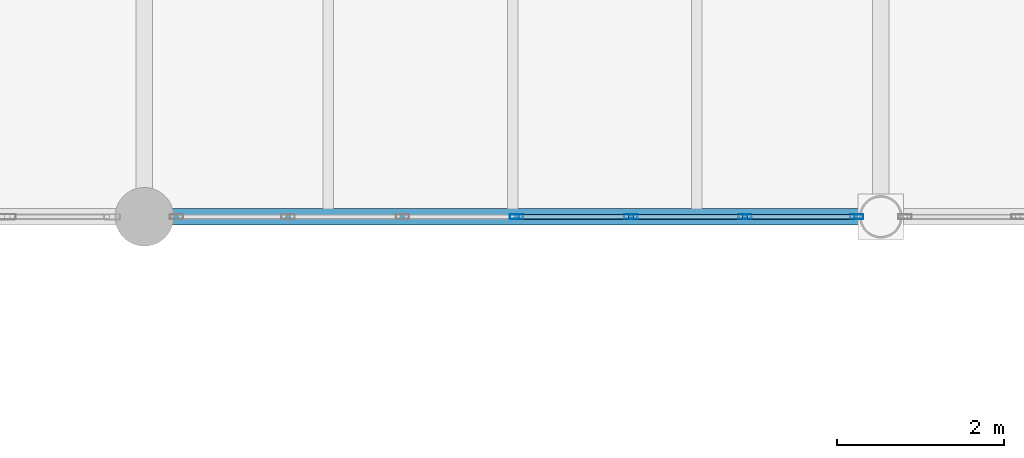
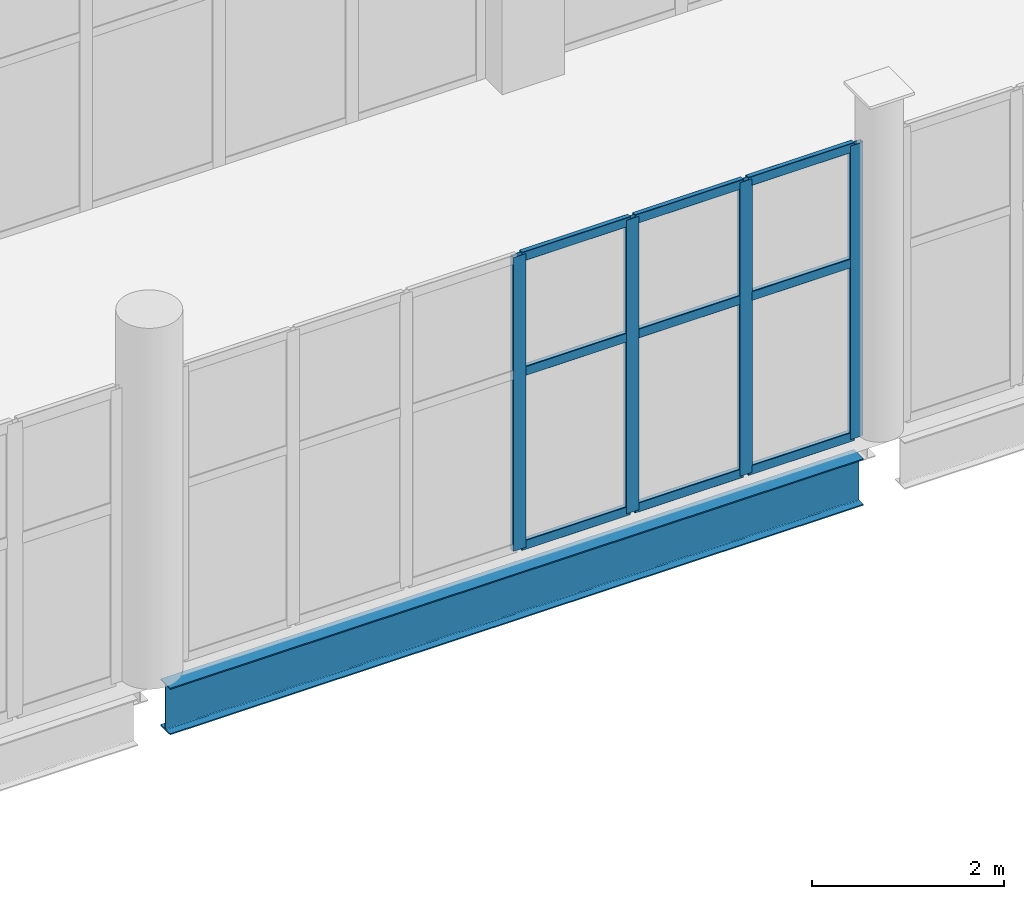
# One storey, part 54 of 136: 13 members, 1 beam, 1 element without a shape of its own.
"""IFC4 building model written with IfcOpenShell, lengths in metres."""

from ifc_helpers import new_model, si_unit, direction, frame, origin, origin_2d, place, context, subcontext, project, spatial, hollow_rectangle, i_section, extrude, material, material_profile, profile_set, type_object, element, aggregate, save


model = new_model("IFC4")

# Units and contexts
model_context = context("Model", 3, precision=1e-05, world=origin(), true_north=direction((0.0, 1.0)))
body_context = subcontext(model_context, "Body", "Model", "MODEL_VIEW")
ifc_project = project(units=[si_unit("LENGTHUNIT", "METRE"), si_unit("AREAUNIT", "SQUARE_METRE"), si_unit("VOLUMEUNIT", "CUBIC_METRE"), si_unit("PLANEANGLEUNIT", "RADIAN"), si_unit("MASSUNIT", "GRAM", prefix="KILO")], contexts=[model_context])

# Site, building, storey
site_placement = place(None, origin())
site = spatial("IfcSite", under=ifc_project, at=site_placement, CompositionType="ELEMENT")
building_placement = place(site_placement, origin())
building = spatial("IfcBuilding", under=site, at=building_placement, Name="Shengluoqiao Park Theatre", CompositionType="ELEMENT")
storey_placement = place(building_placement, frame((0.0, 0.0, 10.0)))
storey = spatial("IfcBuildingStorey", under=building, at=storey_placement, Name="L02", CompositionType="ELEMENT", Elevation=10.0)

# Curtain wall, members
ifc_material_1 = material(Name="Aluminium 6063-T6", Category="aluminium")
curtain_wall_type = type_object("IfcCurtainWallType", Name="ENV-CW-BRIDGE", PredefinedType="NOTDEFINED", material=ifc_material_1)
curtain_wall_placement = place(storey_placement, origin())
curtain_wall = element("IfcCurtainWall", 1, at=curtain_wall_placement, inside=storey, type_object=curtain_wall_type, Name="L02 Curtain Wall CWX-L02-0107", PredefinedType="NOTDEFINED")
ifc_material_profile_1 = material_profile(ifc_material_1, hollow_rectangle(XDim=0.06005859375, YDim=0.159912109375, WallThickness=0.00390625, InnerFilletRadius=0.00390625, OuterFilletRadius=0.008056640625, at=origin_2d()), Name="ALU MULLION 160x60x4")
ifc_profile_set_1 = profile_set([ifc_material_profile_1], Name="Aluminium 6063-T6")
member_type_1 = type_object("IfcMemberType", Name="ENV-MUL-160", PredefinedType="MULLION", material=ifc_profile_set_1)
member_1_placement = place(storey_placement, frame((90.847900390625, 68.39990234375, 0.0), z_axis=(0.0, 0.0, 1.0), x_axis=(0.0, 1.0, 0.0)))
member_1 = element("IfcMember", 2, at=member_1_placement, type_object=member_type_1, Name="CW-03 mullion 4", PredefinedType="MULLION", context=body_context, shape_type="SweptSolid", body=[
    extrude(hollow_rectangle(XDim=0.06005859375, YDim=0.159912109375, WallThickness=0.00390625, InnerFilletRadius=0.00390625, OuterFilletRadius=0.008056640625, at=origin_2d()), origin(), (0.0, 0.0, 1.0), 3.741943359375),
])
member_2_placement = place(storey_placement, frame((92.212646484375, 68.39990234375, 0.0), z_axis=(0.0, 0.0, 1.0), x_axis=(0.0, 1.0, 0.0)))
member_2 = element("IfcMember", 3, at=member_2_placement, type_object=member_type_1, Name="CW-03 mullion 5", PredefinedType="MULLION", context=body_context, shape_type="SweptSolid", body=[
    extrude(hollow_rectangle(XDim=0.06005859375, YDim=0.159912109375, WallThickness=0.00390625, InnerFilletRadius=0.00390625, OuterFilletRadius=0.008056640625, at=origin_2d()), origin(), (0.0, 0.0, 1.0), 3.741943359375),
])
member_3_placement = place(storey_placement, frame((93.577392578125, 68.39990234375, 0.0), z_axis=(0.0, 0.0, 1.0), x_axis=(0.0, 1.0, 0.0)))
member_3 = element("IfcMember", 4, at=member_3_placement, type_object=member_type_1, Name="CW-03 mullion 6", PredefinedType="MULLION", context=body_context, shape_type="SweptSolid", body=[
    extrude(hollow_rectangle(XDim=0.06005859375, YDim=0.159912109375, WallThickness=0.00390625, InnerFilletRadius=0.00390625, OuterFilletRadius=0.008056640625, at=origin_2d()), origin(), (0.0, 0.0, 1.0), 3.741943359375),
])
member_4_placement = place(storey_placement, frame((94.912109375, 68.39990234375, 0.0), z_axis=(0.0, 0.0, 1.0), x_axis=(0.0, 1.0, 0.0)))
member_4 = element("IfcMember", 5, at=member_4_placement, type_object=member_type_1, Name="CW-03 mullion 7", PredefinedType="MULLION", context=body_context, shape_type="SweptSolid", body=[
    extrude(hollow_rectangle(XDim=0.06005859375, YDim=0.159912109375, WallThickness=0.00390625, InnerFilletRadius=0.00390625, OuterFilletRadius=0.008056640625, at=origin_2d()), origin(), (0.0, 0.0, 1.0), 3.741943359375),
])
ifc_material_profile_2 = material_profile(ifc_material_1, hollow_rectangle(XDim=0.06005859375, YDim=0.1201171875, WallThickness=0.00390625, InnerFilletRadius=0.00390625, OuterFilletRadius=0.008056640625, at=origin_2d()), Name="ALU TRANSOM 120x60x4")
ifc_profile_set_2 = profile_set([ifc_material_profile_2], Name="Aluminium 6063-T6")
member_type_2 = type_object("IfcMemberType", Name="ENV-TRN-120", PredefinedType="USERDEFINED", material=ifc_profile_set_2)
member_5_placement = place(storey_placement, frame((90.8779296875, 68.39990234375, 0.030029296875), z_axis=(1.0, 0.0, 0.0), x_axis=(0.0, 1.0, 0.0)))
member_5 = element("IfcMember", 6, at=member_5_placement, type_object=member_type_2, Name="CW-03 transom 4.1", ObjectType="TRANSOM", PredefinedType="USERDEFINED", context=body_context, shape_type="SweptSolid", body=[
    extrude(hollow_rectangle(XDim=0.06005859375, YDim=0.1201171875, WallThickness=0.00390625, InnerFilletRadius=0.00390625, OuterFilletRadius=0.008056640625, at=origin_2d()), origin(), (0.0, 0.0, 1.0), 1.3046875),
])
member_6_placement = place(storey_placement, frame((90.8779296875, 68.39990234375, 2.2451171875), z_axis=(1.0, 0.0, 0.0), x_axis=(0.0, 1.0, 0.0)))
member_6 = element("IfcMember", 7, at=member_6_placement, type_object=member_type_2, Name="CW-03 transom 4.2", ObjectType="TRANSOM", PredefinedType="USERDEFINED", context=body_context, shape_type="SweptSolid", body=[
    extrude(hollow_rectangle(XDim=0.06005859375, YDim=0.1201171875, WallThickness=0.00390625, InnerFilletRadius=0.00390625, OuterFilletRadius=0.008056640625, at=origin_2d()), origin(), (0.0, 0.0, 1.0), 1.3046875),
])
member_7_placement = place(storey_placement, frame((90.8779296875, 68.39990234375, 3.7119140625), z_axis=(1.0, 0.0, 0.0), x_axis=(0.0, 1.0, 0.0)))
member_7 = element("IfcMember", 8, at=member_7_placement, type_object=member_type_2, Name="CW-03 transom 4.3", ObjectType="TRANSOM", PredefinedType="USERDEFINED", context=body_context, shape_type="SweptSolid", body=[
    extrude(hollow_rectangle(XDim=0.06005859375, YDim=0.1201171875, WallThickness=0.00390625, InnerFilletRadius=0.00390625, OuterFilletRadius=0.008056640625, at=origin_2d()), origin(), (0.0, 0.0, 1.0), 1.3046875),
])
member_8_placement = place(storey_placement, frame((92.24267578125, 68.39990234375, 0.030029296875), z_axis=(1.0, 0.0, 0.0), x_axis=(0.0, 1.0, 0.0)))
member_8 = element("IfcMember", 9, at=member_8_placement, type_object=member_type_2, Name="CW-03 transom 5.1", ObjectType="TRANSOM", PredefinedType="USERDEFINED", context=body_context, shape_type="SweptSolid", body=[
    extrude(hollow_rectangle(XDim=0.06005859375, YDim=0.1201171875, WallThickness=0.00390625, InnerFilletRadius=0.00390625, OuterFilletRadius=0.008056640625, at=origin_2d()), origin(), (0.0, 0.0, 1.0), 1.3046875),
])
member_9_placement = place(storey_placement, frame((92.24267578125, 68.39990234375, 2.2451171875), z_axis=(1.0, 0.0, 0.0), x_axis=(0.0, 1.0, 0.0)))
member_9 = element("IfcMember", 10, at=member_9_placement, type_object=member_type_2, Name="CW-03 transom 5.2", ObjectType="TRANSOM", PredefinedType="USERDEFINED", context=body_context, shape_type="SweptSolid", body=[
    extrude(hollow_rectangle(XDim=0.06005859375, YDim=0.1201171875, WallThickness=0.00390625, InnerFilletRadius=0.00390625, OuterFilletRadius=0.008056640625, at=origin_2d()), origin(), (0.0, 0.0, 1.0), 1.3046875),
])
member_10_placement = place(storey_placement, frame((92.24267578125, 68.39990234375, 3.7119140625), z_axis=(1.0, 0.0, 0.0), x_axis=(0.0, 1.0, 0.0)))
member_10 = element("IfcMember", 11, at=member_10_placement, type_object=member_type_2, Name="CW-03 transom 5.3", ObjectType="TRANSOM", PredefinedType="USERDEFINED", context=body_context, shape_type="SweptSolid", body=[
    extrude(hollow_rectangle(XDim=0.06005859375, YDim=0.1201171875, WallThickness=0.00390625, InnerFilletRadius=0.00390625, OuterFilletRadius=0.008056640625, at=origin_2d()), origin(), (0.0, 0.0, 1.0), 1.3046875),
])
member_11_placement = place(storey_placement, frame((93.607421875, 68.39990234375, 0.030029296875), z_axis=(1.0, 0.0, 0.0), x_axis=(0.0, 1.0, 0.0)))
member_11 = element("IfcMember", 12, at=member_11_placement, type_object=member_type_2, Name="CW-03 transom 6.1", ObjectType="TRANSOM", PredefinedType="USERDEFINED", context=body_context, shape_type="SweptSolid", body=[
    extrude(hollow_rectangle(XDim=0.06005859375, YDim=0.1201171875, WallThickness=0.00390625, InnerFilletRadius=0.00390625, OuterFilletRadius=0.008056640625, at=origin_2d()), origin(), (0.0, 0.0, 1.0), 1.274658203125),
])
member_12_placement = place(storey_placement, frame((93.607421875, 68.39990234375, 2.2451171875), z_axis=(1.0, 0.0, 0.0), x_axis=(0.0, 1.0, 0.0)))
member_12 = element("IfcMember", 13, at=member_12_placement, type_object=member_type_2, Name="CW-03 transom 6.2", ObjectType="TRANSOM", PredefinedType="USERDEFINED", context=body_context, shape_type="SweptSolid", body=[
    extrude(hollow_rectangle(XDim=0.06005859375, YDim=0.1201171875, WallThickness=0.00390625, InnerFilletRadius=0.00390625, OuterFilletRadius=0.008056640625, at=origin_2d()), origin(), (0.0, 0.0, 1.0), 1.274658203125),
])
member_13_placement = place(storey_placement, frame((93.607421875, 68.39990234375, 3.7119140625), z_axis=(1.0, 0.0, 0.0), x_axis=(0.0, 1.0, 0.0)))
member_13 = element("IfcMember", 14, at=member_13_placement, type_object=member_type_2, Name="CW-03 transom 6.3", ObjectType="TRANSOM", PredefinedType="USERDEFINED", context=body_context, shape_type="SweptSolid", body=[
    extrude(hollow_rectangle(XDim=0.06005859375, YDim=0.1201171875, WallThickness=0.00390625, InnerFilletRadius=0.00390625, OuterFilletRadius=0.008056640625, at=origin_2d()), origin(), (0.0, 0.0, 1.0), 1.274658203125),
])
aggregate(curtain_wall, [member_1, member_2, member_3, member_4, member_5, member_6, member_7, member_8, member_9, member_10, member_11, member_12, member_13])

# Beam
ifc_material_2 = material(Name="Steel Q355", Category="steel")
ifc_material_profile_3 = material_profile(ifc_material_2, i_section(OverallWidth=0.198974609375, OverallDepth=0.595947265625, WebThickness=0.010009765625, FlangeThickness=0.014892578125, FilletRadius=0.02001953125, at=origin_2d()), Name="HN 596x199x10x15")
ifc_profile_set_3 = profile_set([ifc_material_profile_3], Name="Steel Q355")
beam_type = type_object("IfcBeamType", Name="STR-BM-SP-HN596", PredefinedType="SPANDREL", material=ifc_profile_set_3)
beam_placement = place(storey_placement, frame((86.593994140625, 68.39990234375, -0.5380859375), z_axis=(1.0, 0.0, 0.0), x_axis=(0.0, 1.0, 0.0)))
element("IfcBeam", 15, at=beam_placement, inside=storey, type_object=beam_type, Name="L02 Primary Girder 01005", PredefinedType="SPANDREL", context=body_context, shape_type="SweptSolid", body=[
    extrude(i_section(OverallWidth=0.198974609375, OverallDepth=0.595947265625, WebThickness=0.010009765625, FlangeThickness=0.014892578125, FilletRadius=0.02001953125, at=origin_2d()), origin(), (0.0, 0.0, 1.0), 8.35791015625),
])

save(model, "model.ifc")
